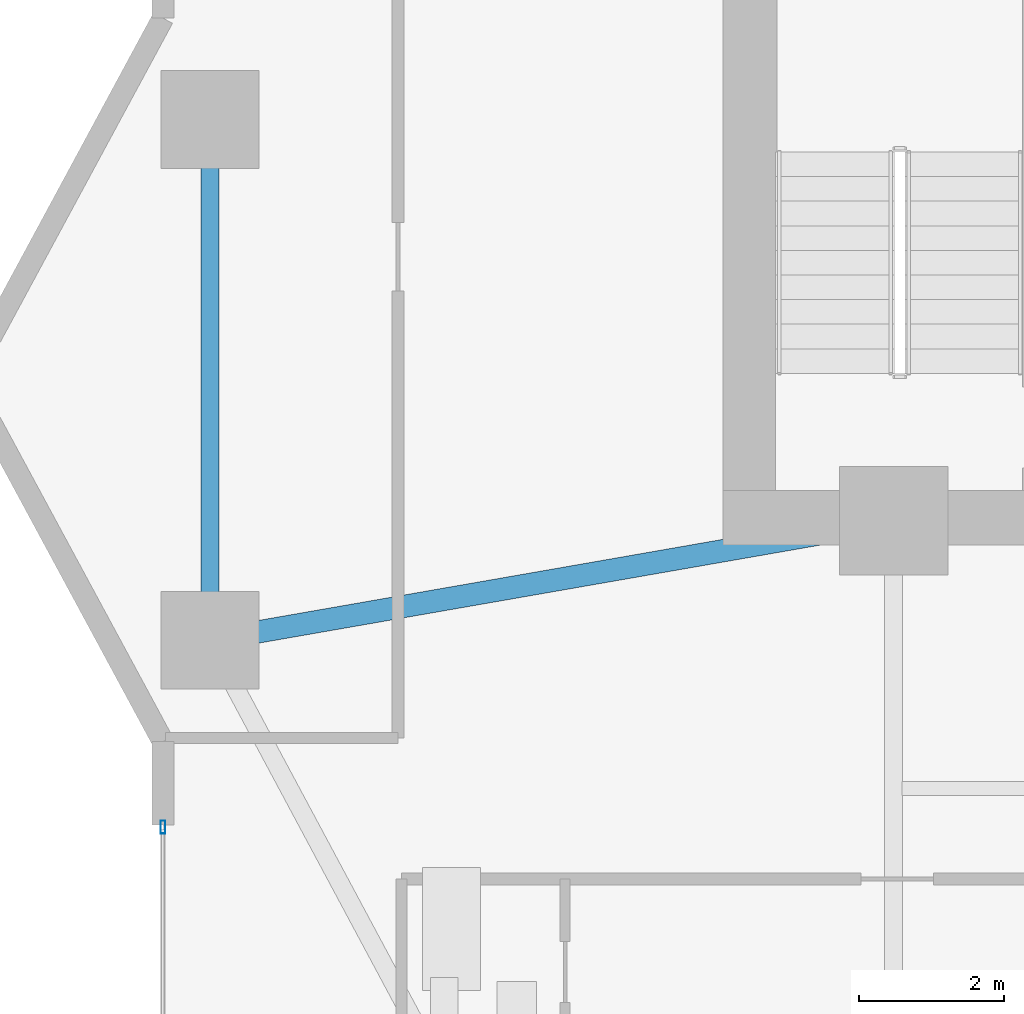
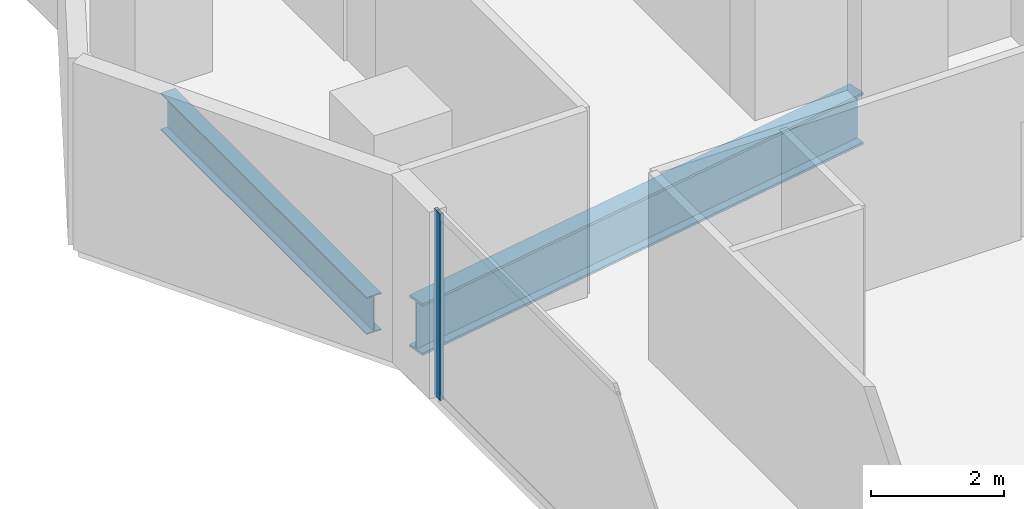
# One storey, part 7 of 27: 2 beams, 1 member, 1 element without a shape of its own.
"""IFC4 building model written with IfcOpenShell, lengths in metres."""

from ifc_helpers import new_model, si_unit, direction, frame, origin, origin_2d, place, context, subcontext, project, spatial, hollow_rectangle, i_section, extrude, material, layer, layer_set, material_profile, profile_set, type_object, element, aggregate, save


model = new_model("IFC4")

# Units and contexts
model_context = context("Model", 3, precision=1e-05, world=origin(), true_north=direction((0.0, 1.0)))
body_context = subcontext(model_context, "Body", "Model", "MODEL_VIEW")
ifc_project = project(units=[si_unit("LENGTHUNIT", "METRE"), si_unit("AREAUNIT", "SQUARE_METRE"), si_unit("VOLUMEUNIT", "CUBIC_METRE"), si_unit("PLANEANGLEUNIT", "RADIAN"), si_unit("MASSUNIT", "GRAM", prefix="KILO")], contexts=[model_context])

# Site, building, storey
site_placement = place(None, origin())
site = spatial("IfcSite", under=ifc_project, at=site_placement, CompositionType="ELEMENT")
building_placement = place(site_placement, origin())
building = spatial("IfcBuilding", under=site, at=building_placement, Name="Zuhayl Quay Hotel", CompositionType="ELEMENT")
storey_placement = place(building_placement, frame((0.0, 0.0, 124.85009765625)))
storey = spatial("IfcBuildingStorey", under=building, at=storey_placement, Name="L31", CompositionType="ELEMENT", Elevation=124.85009765625)

# Beams
ifc_material_1 = material(Name="Steel ASTM A992 Grade 50", Category="steel")
ifc_material_profile_1 = material_profile(ifc_material_1, i_section(OverallWidth=0.25390625, OverallDepth=0.68310546875, WebThickness=0.012451171875, FlangeThickness=0.018798828125, at=origin_2d()), Name="W27X94")
ifc_profile_set_1 = profile_set([ifc_material_profile_1], Name="Steel ASTM A992 Grade 50")
beam_type_1 = type_object("IfcBeamType", Name="BM_B2_W27X94", PredefinedType="BEAM", material=ifc_profile_set_1)
beam_1_placement = place(storey_placement, frame((-23.25, 9.60009765625, -0.5615234375), z_axis=(0.0, -1.0, 0.0), x_axis=(1.0, 0.0, 0.0)))
element("IfcBeam", 1, at=beam_1_placement, inside=storey, type_object=beam_type_1, Name="L31 Floor Beam RG_L31_11", PredefinedType="BEAM", context=body_context, shape_type="SweptSolid", body=[
    extrude(i_section(OverallWidth=0.25390625, OverallDepth=0.68310546875, WebThickness=0.012451171875, FlangeThickness=0.018798828125, at=origin_2d()), origin(), (0.0, 0.0, 1.0), 6.2001953125),
])
ifc_material_profile_2 = material_profile(ifc_material_1, i_section(OverallWidth=0.31005859375, OverallDepth=0.949951171875, WebThickness=0.0244140625, FlangeThickness=0.0439453125, at=origin_2d()), Name="W36X256")
ifc_profile_set_2 = profile_set([ifc_material_profile_2], Name="Steel ASTM A992 Grade 50")
beam_type_2 = type_object("IfcBeamType", Name="BM_PG1_W36X256", PredefinedType="BEAM", material=ifc_profile_set_2)
beam_2_placement = place(storey_placement, frame((-22.757568359375, 2.986083984375, -0.695068359375), z_axis=(0.985097302632, 0.171997977741, 0.0), x_axis=(-0.171997977741, 0.985097302632, 0.0)))
element("IfcBeam", 2, at=beam_2_placement, inside=storey, type_object=beam_type_2, Name="L31 Floor Beam FG_W_L31_1", PredefinedType="BEAM", context=body_context, shape_type="SweptSolid", body=[
    extrude(i_section(OverallWidth=0.31005859375, OverallDepth=0.949951171875, WebThickness=0.0244140625, FlangeThickness=0.0439453125, at=origin_2d()), origin(), (0.0, 0.0, 1.0), 8.64306640625),
])

# Curtain wall, member
ifc_material_2 = material(Name="Anodised Aluminium 6063-T6", Category="aluminium")
ifc_layer = layer(ifc_material_2, 0.179931640625, Name="Anodised Aluminium 6063-T6", Category="aluminium")
ifc_layer_set = layer_set([ifc_layer], Name="Anodised Aluminium 6063-T6")
curtain_wall_type = type_object("IfcCurtainWallType", Name="CW_SYS_Z2", PredefinedType="USERDEFINED", material=ifc_layer_set)
curtain_wall_placement = place(storey_placement, origin())
curtain_wall = element("IfcCurtainWall", 3, at=curtain_wall_placement, inside=storey, type_object=curtain_wall_type, Name="L31 Curtain Wall ENV_L31_E02_CW1", ObjectType="UNITISED CURTAIN WALL", PredefinedType="USERDEFINED")
ifc_material_3 = material(Name="Black-anodised aluminium 6063-T6", Category="aluminium")
ifc_material_profile_3 = material_profile(ifc_material_3, hollow_rectangle(XDim=0.06494140625, YDim=0.179931640625, WallThickness=0.00341796875, at=origin_2d()), Name="ALU180X65")
ifc_profile_set_3 = profile_set([ifc_material_profile_3], Name="Black-anodised aluminium 6063-T6")
member_type = type_object("IfcMemberType", Name="MB_CW_MUL_180", PredefinedType="MULLION", material=ifc_profile_set_3)
member_placement = place(storey_placement, frame((-23.89990234375, 0.3173828125, 0.0), z_axis=(0.0, 0.0, 1.0), x_axis=(-1.0, 0.0, 0.0)))
member = element("IfcMember", 4, at=member_placement, type_object=member_type, Name="CW-Z2 mullion 2", PredefinedType="MULLION", context=body_context, shape_type="SweptSolid", body=[
    extrude(hollow_rectangle(XDim=0.06494140625, YDim=0.179931640625, WallThickness=0.00341796875, at=origin_2d()), origin(), (0.0, 0.0, 1.0), 3.429931640625),
])
aggregate(curtain_wall, [member])

save(model, "model.ifc")
